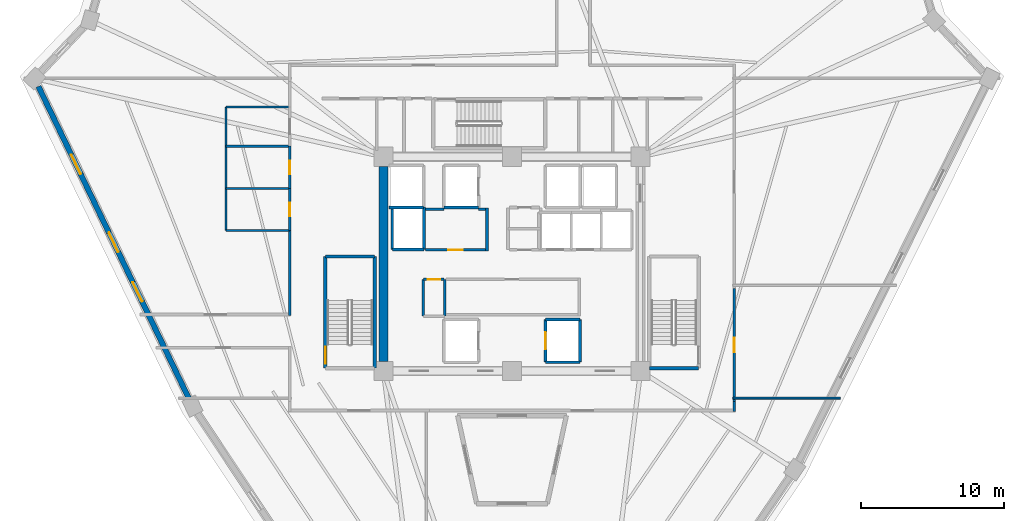
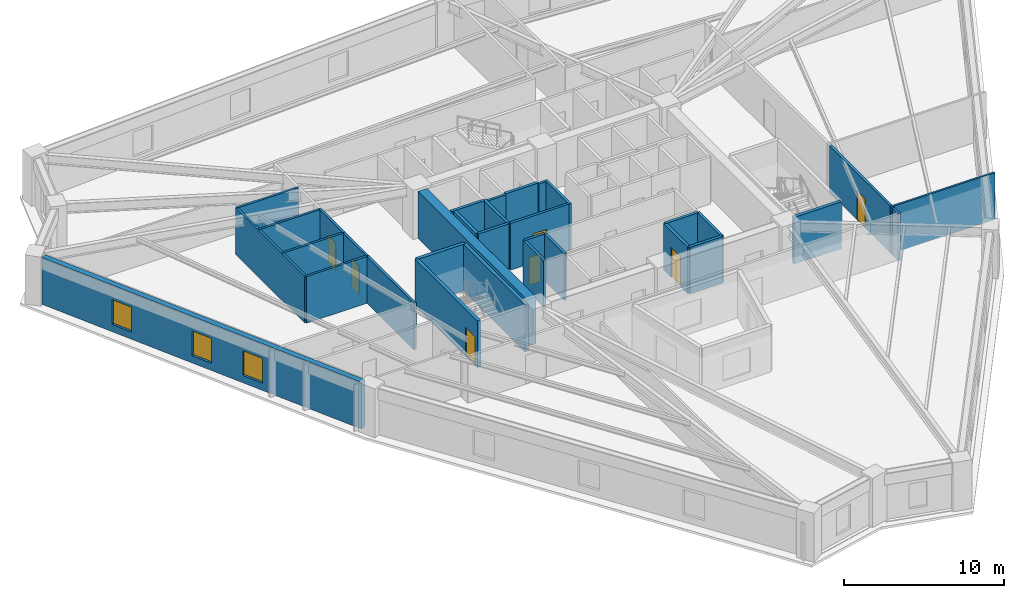
# One storey, part 4 of 10: 33 walls, 7 doors, 3 windows, 10 openings.
"""IFC4 building model written with IfcOpenShell, lengths in metres."""

from ifc_helpers import new_model, si_unit, direction, frame, frame_2d, origin, place, context, subcontext, project, spatial, rectangle, extrude, source, transform, mapped, material, layer, layer_set, type_object, element, fill, save


model = new_model("IFC4")

# Units and contexts
model_context = context("Model", 3, precision=1e-05, world=origin(), true_north=direction((0.0, 1.0)))
body_context = subcontext(model_context, "Body", "Model", "MODEL_VIEW")
ifc_project = project(units=[si_unit("LENGTHUNIT", "METRE"), si_unit("AREAUNIT", "SQUARE_METRE"), si_unit("VOLUMEUNIT", "CUBIC_METRE"), si_unit("PLANEANGLEUNIT", "RADIAN"), si_unit("MASSUNIT", "GRAM", prefix="KILO")], contexts=[model_context])

# Site, building, storey
site_placement = place(None, origin())
site = spatial("IfcSite", under=ifc_project, at=site_placement, CompositionType="ELEMENT")
building_placement = place(site_placement, origin())
building = spatial("IfcBuilding", under=site, at=building_placement, Name="Liaohun Quay Tower", CompositionType="ELEMENT")
storey_placement = place(building_placement, frame((0.0, 0.0, 216.75)))
storey = spatial("IfcBuildingStorey", under=building, at=storey_placement, Name="L56", CompositionType="ELEMENT", Elevation=216.75)

# Wall
ifc_material_1 = material(Name="Concrete C55", Category="concrete")
ifc_layer_1 = layer(ifc_material_1, 0.64990234375, Name="Concrete C55", Category="concrete")
ifc_layer_set_1 = layer_set([ifc_layer_1], Name="Concrete C55")
wall_type_1 = type_object("IfcWallType", Name="WAL-COR-Z3", PredefinedType="SHEAR", material=ifc_layer_set_1)
wall_1_placement = place(storey_placement, frame((51.0, 47.175048828125, 0.0), z_axis=(0.0, 0.0, 1.0), x_axis=(0.0, 1.0, 0.0)))
element("IfcWall", 1, at=wall_1_placement, inside=storey, type_object=wall_type_1, Name="L56 Central Core Shear Wall W", PredefinedType="SHEAR", context=body_context, shape_type="SweptSolid", body=[
    extrude(rectangle(XDim=13.64990234375, YDim=0.64990234375, at=frame_2d((6.824951171875, 0.0))), origin(), (0.0, 0.0, 1.0), 3.570068359375),
])

# Wall, openings, windows
ifc_material_2 = material(Name="Precast concrete C50 insulated sandwich", Category="concrete")
ifc_layer_2 = layer(ifc_material_2, 0.3798828125, Name="Precast concrete C50 insulated sandwich", Category="concrete")
ifc_layer_set_2 = layer_set([ifc_layer_2], Name="Precast concrete C50 insulated sandwich")
wall_type_2 = type_object("IfcWallType", Name="WAL-EXT-Z34", PredefinedType="SOLIDWALL", material=ifc_layer_set_2)
wall_2_placement = place(storey_placement, frame((26.847900390625, 66.426025390625, 0.0), z_axis=(0.0, 0.0, 1.0), x_axis=(0.434351028037, -0.900743684099, 0.0)))
wall_2 = element("IfcWall", 2, at=wall_2_placement, inside=storey, type_object=wall_type_2, Name="L56 Brutalist Precast Pier Wall 10", PredefinedType="SOLIDWALL", context=body_context, shape_type="SweptSolid", body=[
    extrude(rectangle(XDim=24.222412109375, YDim=0.3798828125, at=frame_2d((12.111328125, 0.0))), origin(), (0.0, 0.0, 1.0), 3.570068359375),
])
shared_shape_1 = source(origin(), body_context, "Body", "SweptSolid", [
    extrude(rectangle(XDim=1.5, YDim=1.89990234375, at=frame_2d((0.75, 0.949951171875))), frame((0.0, 0.199951171875, 0.0), z_axis=(0.0, -1.0, 0.0), x_axis=(1.0, 0.0, 0.0)), (0.0, 0.0, 1.0), 0.39990234375),
])
opening_1_placement = place(wall_2_placement, frame((5.305908203125, 0.0, 0.550048828125)))
opening_1 = element("IfcOpeningElement", 3, at=opening_1_placement, cuts=wall_2, Name="Opening W03", PredefinedType="OPENING", context=body_context, shape_type="MappedRepresentation", body=[
    mapped(shared_shape_1, transform((0.0, 0.0, 0.0), x_axis=(1.0, 0.0, 0.0), y_axis=(0.0, 1.0, 0.0), z_axis=(0.0, 0.0, 1.0), scale=1.0)),
])
opening_2_placement = place(wall_2_placement, frame((11.361083984375, 0.0, 0.550048828125)))
opening_2 = element("IfcOpeningElement", 4, at=opening_2_placement, cuts=wall_2, Name="Opening W03", PredefinedType="OPENING", context=body_context, shape_type="MappedRepresentation", body=[
    mapped(shared_shape_1, transform((0.0, 0.0, 0.0), x_axis=(1.0, 0.0, 0.0), y_axis=(0.0, 1.0, 0.0), z_axis=(0.0, 0.0, 1.0), scale=1.0)),
])
opening_3_placement = place(wall_2_placement, frame((15.217041015625, 0.0, 0.550048828125)))
opening_3 = element("IfcOpeningElement", 5, at=opening_3_placement, cuts=wall_2, Name="Opening W03", PredefinedType="OPENING", context=body_context, shape_type="MappedRepresentation", body=[
    mapped(shared_shape_1, transform((0.0, 0.0, 0.0), x_axis=(1.0, 0.0, 0.0), y_axis=(0.0, 1.0, 0.0), z_axis=(0.0, 0.0, 1.0), scale=1.0)),
])
ifc_material_3 = material(Name="Triple Low-E argon glazing in thermally broken aluminium", Category="aluminium")
window_type = type_object("IfcWindowType", Name="WIN-PUN-Z3", PartitioningType="DOUBLE_PANEL_VERTICAL", PredefinedType="WINDOW", material=ifc_material_3)
shared_shape_2 = source(origin(), body_context, "Body", "SweptSolid", [
    extrude(rectangle(XDim=1.5, YDim=1.89990234375, at=frame_2d((0.75, 0.949951171875))), frame((0.0, 0.030029296875, 0.0), z_axis=(0.0, -1.0, 0.0), x_axis=(1.0, 0.0, 0.0)), (0.0, 0.0, 1.0), 0.06005859375),
])
window_1_placement = place(opening_1_placement, origin())
window_1 = element("IfcWindow", 6, at=window_1_placement, inside=storey, type_object=window_type, Name="L56 Recessed Cold-Climate Punched Window 10-1", OverallHeight=1.89990234375, OverallWidth=1.5, PartitioningType="DOUBLE_PANEL_VERTICAL", PredefinedType="WINDOW", context=body_context, shape_type="MappedRepresentation", body=[
    mapped(shared_shape_2, transform((0.0, 0.0, 0.0), x_axis=(1.0, 0.0, 0.0), y_axis=(0.0, 1.0, 0.0), z_axis=(0.0, 0.0, 1.0), scale=1.0)),
])
fill(opening_1, window_1)
window_2_placement = place(opening_2_placement, origin())
window_2 = element("IfcWindow", 7, at=window_2_placement, inside=storey, type_object=window_type, Name="L56 Recessed Cold-Climate Punched Window 10-2", OverallHeight=1.89990234375, OverallWidth=1.5, PartitioningType="DOUBLE_PANEL_VERTICAL", PredefinedType="WINDOW", context=body_context, shape_type="MappedRepresentation", body=[
    mapped(shared_shape_2, transform((0.0, 0.0, 0.0), x_axis=(1.0, 0.0, 0.0), y_axis=(0.0, 1.0, 0.0), z_axis=(0.0, 0.0, 1.0), scale=1.0)),
])
fill(opening_2, window_2)
window_3_placement = place(opening_3_placement, origin())
window_3 = element("IfcWindow", 8, at=window_3_placement, inside=storey, type_object=window_type, Name="L56 Recessed Cold-Climate Punched Window 10-3", OverallHeight=1.89990234375, OverallWidth=1.5, PartitioningType="DOUBLE_PANEL_VERTICAL", PredefinedType="WINDOW", context=body_context, shape_type="MappedRepresentation", body=[
    mapped(shared_shape_2, transform((0.0, 0.0, 0.0), x_axis=(1.0, 0.0, 0.0), y_axis=(0.0, 1.0, 0.0), z_axis=(0.0, 0.0, 1.0), scale=1.0)),
])
fill(opening_3, window_3)

# Wall, opening, door
ifc_material_4 = material(Name="Autoclaved aerated concrete blockwork", Category="masonry")
ifc_layer_3 = layer(ifc_material_4, 0.179931640625, Name="Autoclaved aerated concrete blockwork", Category="masonry")
ifc_layer_set_3 = layer_set([ifc_layer_3], Name="Autoclaved aerated concrete blockwork")
wall_type_3 = type_object("IfcWallType", Name="WAL-PRT-COR", PredefinedType="PARTITIONING", material=ifc_layer_set_3)
wall_3_placement = place(storey_placement, frame((53.949951171875, 54.97998046875, 0.0), z_axis=(0.0, 0.0, 1.0), x_axis=(1.0, 0.0, 0.0)))
wall_3 = element("IfcWall", 9, at=wall_3_placement, inside=storey, type_object=wall_type_3, Name="L56 Interior Partition Wall 002", PredefinedType="PARTITIONING", context=body_context, shape_type="SweptSolid", body=[
    extrude(rectangle(XDim=4.2099609375, YDim=0.179931640625, at=frame_2d((2.10498046875, 0.0))), origin(), (0.0, 0.0, 1.0), 3.570068359375),
])
shared_shape_3 = source(origin(), body_context, "Body", "SweptSolid", [
    extrude(rectangle(XDim=1.0, YDim=2.199951171875, at=frame_2d((0.5, 1.10009765625))), frame((0.0, 0.099853515625, 0.0), z_axis=(0.0, -1.0, 0.0), x_axis=(1.0, 0.0, 0.0)), (0.0, 0.0, 1.0), 0.199951171875),
])
opening_4_placement = place(wall_3_placement, frame((1.60009765625, 0.0, 0.0)))
opening_4 = element("IfcOpeningElement", 10, at=opening_4_placement, cuts=wall_3, Name="Opening OD1", PredefinedType="OPENING", context=body_context, shape_type="MappedRepresentation", body=[
    mapped(shared_shape_3, transform((0.0, 0.0, 0.0), x_axis=(1.0, 0.0, 0.0), y_axis=(0.0, 1.0, 0.0), z_axis=(0.0, 0.0, 1.0), scale=1.0)),
])
ifc_material_5 = material(Name="Solid-core oak veneer timber leaf in steel frame", Category="steel")
door_type_1 = type_object("IfcDoorType", Name="DOR-OFF-1000", OperationType="NOTDEFINED", PredefinedType="DOOR", material=ifc_material_5)
shared_shape_4 = source(origin(), body_context, "Body", "SweptSolid", [
    extrude(rectangle(XDim=1.0, YDim=2.199951171875, at=frame_2d((0.5, 1.10009765625))), frame((0.0, 0.02490234375, 0.0), z_axis=(0.0, -1.0, 0.0), x_axis=(1.0, 0.0, 0.0)), (0.0, 0.0, 1.0), 0.050048828125),
])
door_1_placement = place(opening_4_placement, origin())
door_1 = element("IfcDoor", 11, at=door_1_placement, inside=storey, type_object=door_type_1, Name="L56 Core Staff Pantry and Tea Room Door", OperationType="SINGLE_SWING_RIGHT", OverallHeight=2.199951171875, OverallWidth=1.0, PredefinedType="DOOR", context=body_context, shape_type="MappedRepresentation", body=[
    mapped(shared_shape_4, transform((0.0, 0.0, 0.0), x_axis=(1.0, 0.0, 0.0), y_axis=(0.0, 1.0, 0.0), z_axis=(0.0, 0.0, 1.0), scale=1.0)),
])
fill(opening_4, door_1)

wall_4_placement = place(storey_placement, frame((53.820068359375, 52.919921875, 0.0), z_axis=(0.0, 0.0, 1.0), x_axis=(1.0, 0.0, 0.0)))
wall_4 = element("IfcWall", 12, at=wall_4_placement, inside=storey, type_object=wall_type_3, Name="L56 Interior Partition Wall 005", PredefinedType="PARTITIONING", context=body_context, shape_type="SweptSolid", body=[
    extrude(rectangle(XDim=1.429931640625, YDim=0.179931640625, at=frame_2d((0.71484375, 0.0))), origin(), (0.0, 0.0, 1.0), 3.570068359375),
])
shared_shape_5 = source(origin(), body_context, "Body", "SweptSolid", [
    extrude(rectangle(XDim=0.85009765625, YDim=2.10009765625, at=frame_2d((0.425048828125, 1.050048828125))), frame((0.0, 0.099853515625, 0.0), z_axis=(0.0, -1.0, 0.0), x_axis=(1.0, 0.0, 0.0)), (0.0, 0.0, 1.0), 0.199951171875),
])
opening_5_placement = place(wall_4_placement, frame((0.2900390625, 0.0, 0.0)))
opening_5 = element("IfcOpeningElement", 13, at=opening_5_placement, cuts=wall_4, Name="Opening AD1", PredefinedType="OPENING", context=body_context, shape_type="MappedRepresentation", body=[
    mapped(shared_shape_5, transform((0.0, 0.0, 0.0), x_axis=(1.0, 0.0, 0.0), y_axis=(0.0, 1.0, 0.0), z_axis=(0.0, 0.0, 1.0), scale=1.0)),
])
ifc_material_6 = material(Name="Steel riser inspection fire door", Category="steel")
door_type_2 = type_object("IfcDoorType", Name="DOR-SHF-850", OperationType="NOTDEFINED", PredefinedType="DOOR", material=ifc_material_6)
shared_shape_6 = source(origin(), body_context, "Body", "SweptSolid", [
    extrude(rectangle(XDim=0.85009765625, YDim=2.10009765625, at=frame_2d((0.425048828125, 1.050048828125))), frame((0.0, 0.02490234375, 0.0), z_axis=(0.0, -1.0, 0.0), x_axis=(1.0, 0.0, 0.0)), (0.0, 0.0, 1.0), 0.050048828125),
])
door_2_placement = place(opening_5_placement, origin())
door_2 = element("IfcDoor", 14, at=door_2_placement, inside=storey, type_object=door_type_2, Name="L56 Core Fire Hose and Riser Closet Door", OperationType="SINGLE_SWING_LEFT", OverallHeight=2.10009765625, OverallWidth=0.85009765625, PredefinedType="DOOR", context=body_context, shape_type="MappedRepresentation", body=[
    mapped(shared_shape_6, transform((0.0, 0.0, 0.0), x_axis=(1.0, 0.0, 0.0), y_axis=(0.0, 1.0, 0.0), z_axis=(0.0, 0.0, 1.0), scale=1.0)),
])
fill(opening_5, door_2)

wall_5_placement = place(storey_placement, frame((75.56005859375, 52.284912109375, 0.0), z_axis=(0.0, 0.0, 1.0), x_axis=(0.0, -1.0, 0.0)))
wall_5 = element("IfcWall", 15, at=wall_5_placement, inside=storey, type_object=wall_type_3, Name="L56 Interior Partition Wall 023", PredefinedType="PARTITIONING", context=body_context, shape_type="SweptSolid", body=[
    extrude(rectangle(XDim=7.89990234375, YDim=0.179931640625, at=frame_2d((3.949951171875, 0.0))), origin(), (0.0, 0.0, 1.0), 3.570068359375),
])
opening_6_placement = place(wall_5_placement, frame((3.449951171875, 0.0, 0.0)))
opening_6 = element("IfcOpeningElement", 16, at=opening_6_placement, cuts=wall_5, Name="Opening OD1", PredefinedType="OPENING", context=body_context, shape_type="MappedRepresentation", body=[
    mapped(shared_shape_3, transform((0.0, 0.0, 0.0), x_axis=(1.0, 0.0, 0.0), y_axis=(0.0, 1.0, 0.0), z_axis=(0.0, 0.0, 1.0), scale=1.0)),
])
door_3_placement = place(opening_6_placement, origin())
door_3 = element("IfcDoor", 17, at=door_3_placement, inside=storey, type_object=door_type_1, Name="L56 Client Collaboration Lounge 08 Door", OperationType="SINGLE_SWING_LEFT", OverallHeight=2.199951171875, OverallWidth=1.0, PredefinedType="DOOR", context=body_context, shape_type="MappedRepresentation", body=[
    mapped(shared_shape_4, transform((0.0, 0.0, 0.0), x_axis=(1.0, 0.0, 0.0), y_axis=(0.0, 1.0, 0.0), z_axis=(0.0, 0.0, 1.0), scale=1.0)),
])
fill(opening_6, door_3)

# Walls
for number, where, z_axis, x_axis, name in (
    (18, (53.7900390625, 50.35009765625, 0.0), (0.0, 0.0, 1.0), (0.0, 1.0, 0.0), "L56 Interior Partition Wall 027"),
    (19, (55.280029296875, 50.35009765625, 0.0), (0.0, 0.0, 1.0), (0.0, 1.0, 0.0), "L56 Interior Partition Wall 029"),
):
    element("IfcWall", number, at=place(storey_placement, frame(where, z_axis=z_axis, x_axis=x_axis)), inside=storey, type_object=wall_type_3, Name=name, PredefinedType="PARTITIONING", context=body_context, shape_type="SweptSolid", body=[
        extrude(rectangle(XDim=2.56982421875, YDim=0.179931640625, at=frame_2d((1.284912109375, 0.0))), origin(), (0.0, 0.0, 1.0), 3.570068359375),
    ])
wall_6_placement = place(storey_placement, frame((44.43994140625, 50.389892578125, 0.0), z_axis=(0.0, 0.0, 1.0), x_axis=(0.0, 1.0, 0.0)))
element("IfcWall", 20, at=wall_6_placement, inside=storey, type_object=wall_type_3, Name="L56 Interior Partition Wall 044", PredefinedType="PARTITIONING", context=body_context, shape_type="SweptSolid", body=[
    extrude(rectangle(XDim=5.9501953125, YDim=0.179931640625, at=frame_2d((2.97509765625, 0.0))), origin(), (0.0, 0.0, 1.0), 3.570068359375),
])
wall_7_placement = place(storey_placement, frame((75.56005859375, 44.385009765625, 0.0), z_axis=(0.0, 0.0, 1.0), x_axis=(0.0, -1.0, 0.0)))
element("IfcWall", 21, at=wall_7_placement, inside=storey, type_object=wall_type_3, Name="L56 Interior Partition Wall 048", PredefinedType="PARTITIONING", context=body_context, shape_type="SweptSolid", body=[
    extrude(rectangle(XDim=0.715087890625, YDim=0.179931640625, at=frame_2d((0.357421875, 0.0))), origin(), (0.0, 0.0, 1.0), 3.570068359375),
])
wall_8_placement = place(storey_placement, frame((58.25, 54.889892578125, 0.0), z_axis=(0.0, 0.0, 1.0), x_axis=(0.0, 1.0, 0.0)))
element("IfcWall", 22, at=wall_8_placement, inside=storey, type_object=wall_type_3, Name="L56 Interior Partition Wall 057", PredefinedType="PARTITIONING", context=body_context, shape_type="SweptSolid", body=[
    extrude(rectangle(XDim=3.02001953125, YDim=0.179931640625, at=frame_2d((1.510009765625, 0.0))), origin(), (0.0, 0.0, 1.0), 3.570068359375),
])
wall_9_placement = place(storey_placement, frame((53.949951171875, 57.820068359375, 0.0), z_axis=(0.0, 0.0, 1.0), x_axis=(1.0, 0.0, 0.0)))
element("IfcWall", 23, at=wall_9_placement, inside=storey, type_object=wall_type_3, Name="L56 Interior Partition Wall 058", PredefinedType="PARTITIONING", context=body_context, shape_type="SweptSolid", body=[
    extrude(rectangle(XDim=1.300048828125, YDim=0.179931640625, at=frame_2d((0.64990234375, 0.0))), origin(), (0.0, 0.0, 1.0), 3.570068359375),
])
wall_10_placement = place(storey_placement, frame((57.64990234375, 57.820068359375, 0.0), z_axis=(0.0, 0.0, 1.0), x_axis=(1.0, 0.0, 0.0)))
element("IfcWall", 24, at=wall_10_placement, inside=storey, type_object=wall_type_3, Name="L56 Interior Partition Wall 059", PredefinedType="PARTITIONING", context=body_context, shape_type="SweptSolid", body=[
    extrude(rectangle(XDim=0.510009765625, YDim=0.179931640625, at=frame_2d((0.2548828125, 0.0))), origin(), (0.0, 0.0, 1.0), 3.570068359375),
])
ifc_material_7 = material(Name="Gypsum board on twin steel studs", Category="steel")
ifc_layer_4 = layer(ifc_material_7, 0.139892578125, Name="Gypsum board on twin steel studs", Category="steel")
ifc_layer_set_4 = layer_set([ifc_layer_4], Name="Gypsum board on twin steel studs")
wall_type_4 = type_object("IfcWallType", Name="WAL-PRT-OFF", PredefinedType="PARTITIONING", material=ifc_layer_set_4)
wall_11_placement = place(storey_placement, frame((75.4599609375, 44.60009765625, 0.0), z_axis=(0.0, 0.0, 1.0), x_axis=(1.0, 0.0, 0.0)))
element("IfcWall", 25, at=wall_11_placement, inside=storey, type_object=wall_type_4, Name="L56 Interior Partition Wall 051", PredefinedType="PARTITIONING", context=body_context, shape_type="SweptSolid", body=[
    extrude(rectangle(XDim=7.52294921875, YDim=0.139892578125, at=frame_2d((3.761474609375, 0.0))), origin(), (0.0, 0.0, 1.0), 3.570068359375),
])

# Wall, opening, door
ifc_material_8 = material(Name="Moisture-resistant masonry blockwork", Category="masonry")
ifc_layer_5 = layer(ifc_material_8, 0.159912109375, Name="Moisture-resistant masonry blockwork", Category="masonry")
ifc_layer_set_5 = layer_set([ifc_layer_5], Name="Moisture-resistant masonry blockwork")
wall_type_5 = type_object("IfcWallType", Name="WAL-PRT-WET", PredefinedType="PARTITIONING", material=ifc_layer_set_5)
wall_12_placement = place(storey_placement, frame((44.43994140625, 56.340087890625, 0.0), z_axis=(0.0, 0.0, 1.0), x_axis=(0.0, 1.0, 0.0)))
wall_12 = element("IfcWall", 26, at=wall_12_placement, inside=storey, type_object=wall_type_5, Name="L56 Interior Partition Wall 006", PredefinedType="PARTITIONING", context=body_context, shape_type="SweptSolid", body=[
    extrude(rectangle(XDim=2.93994140625, YDim=0.159912109375, at=frame_2d((1.469970703125, 0.0))), origin(), (0.0, 0.0, 1.0), 3.570068359375),
])
shared_shape_7 = source(origin(), body_context, "Body", "SweptSolid", [
    extrude(rectangle(XDim=0.949951171875, YDim=2.14990234375, at=frame_2d((0.47509765625, 1.074951171875))), frame((0.0, 0.08984375, 0.0), z_axis=(0.0, -1.0, 0.0), x_axis=(1.0, 0.0, 0.0)), (0.0, 0.0, 1.0), 0.179931640625),
])
opening_7_placement = place(wall_12_placement, frame((0.9951171875, 0.0, 0.0)))
opening_7 = element("IfcOpeningElement", 27, at=opening_7_placement, cuts=wall_12, Name="Opening WD1", PredefinedType="OPENING", context=body_context, shape_type="MappedRepresentation", body=[
    mapped(shared_shape_7, transform((0.0, 0.0, 0.0), x_axis=(1.0, 0.0, 0.0), y_axis=(0.0, 1.0, 0.0), z_axis=(0.0, 0.0, 1.0), scale=1.0)),
])
ifc_material_9 = material(Name="Moisture-resistant laminate timber leaf", Category="wood")
door_type_3 = type_object("IfcDoorType", Name="DOR-WC-950", OperationType="NOTDEFINED", PredefinedType="DOOR", material=ifc_material_9)
shared_shape_8 = source(origin(), body_context, "Body", "SweptSolid", [
    extrude(rectangle(XDim=0.949951171875, YDim=2.14990234375, at=frame_2d((0.47509765625, 1.074951171875))), frame((0.0, 0.02490234375, 0.0), z_axis=(0.0, -1.0, 0.0), x_axis=(1.0, 0.0, 0.0)), (0.0, 0.0, 1.0), 0.050048828125),
])
door_4_placement = place(opening_7_placement, origin())
door_4 = element("IfcDoor", 28, at=door_4_placement, inside=storey, type_object=door_type_3, Name="L56 Male Restroom WC Door", OperationType="SINGLE_SWING_RIGHT", OverallHeight=2.14990234375, OverallWidth=0.949951171875, PredefinedType="DOOR", context=body_context, shape_type="MappedRepresentation", body=[
    mapped(shared_shape_8, transform((0.0, 0.0, 0.0), x_axis=(1.0, 0.0, 0.0), y_axis=(0.0, 1.0, 0.0), z_axis=(0.0, 0.0, 1.0), scale=1.0)),
])
fill(opening_7, door_4)

wall_13_placement = place(storey_placement, frame((44.43994140625, 59.280029296875, 0.0), z_axis=(0.0, 0.0, 1.0), x_axis=(0.0, 1.0, 0.0)))
wall_13 = element("IfcWall", 29, at=wall_13_placement, inside=storey, type_object=wall_type_5, Name="L56 Interior Partition Wall 007", PredefinedType="PARTITIONING", context=body_context, shape_type="SweptSolid", body=[
    extrude(rectangle(XDim=2.9599609375, YDim=0.159912109375, at=frame_2d((1.47998046875, 0.0))), origin(), (0.0, 0.0, 1.0), 3.570068359375),
])
opening_8_placement = place(wall_13_placement, frame((1.0048828125, 0.0, 0.0)))
opening_8 = element("IfcOpeningElement", 30, at=opening_8_placement, cuts=wall_13, Name="Opening WD1", PredefinedType="OPENING", context=body_context, shape_type="MappedRepresentation", body=[
    mapped(shared_shape_7, transform((0.0, 0.0, 0.0), x_axis=(1.0, 0.0, 0.0), y_axis=(0.0, 1.0, 0.0), z_axis=(0.0, 0.0, 1.0), scale=1.0)),
])
door_5_placement = place(opening_8_placement, origin())
door_5 = element("IfcDoor", 31, at=door_5_placement, inside=storey, type_object=door_type_3, Name="L56 Female Restroom WC Door", OperationType="SINGLE_SWING_LEFT", OverallHeight=2.14990234375, OverallWidth=0.949951171875, PredefinedType="DOOR", context=body_context, shape_type="MappedRepresentation", body=[
    mapped(shared_shape_8, transform((0.0, 0.0, 0.0), x_axis=(1.0, 0.0, 0.0), y_axis=(0.0, 1.0, 0.0), z_axis=(0.0, 0.0, 1.0), scale=1.0)),
])
fill(opening_8, door_5)

# Walls
wall_14_placement = place(storey_placement, frame((39.97998046875, 56.340087890625, 0.0), z_axis=(0.0, 0.0, 1.0), x_axis=(0.0, 1.0, 0.0)))
element("IfcWall", 32, at=wall_14_placement, inside=storey, type_object=wall_type_5, Name="L56 Interior Partition Wall 030", PredefinedType="PARTITIONING", context=body_context, shape_type="SweptSolid", body=[
    extrude(rectangle(XDim=8.639892578125, YDim=0.159912109375, at=frame_2d((4.31982421875, 0.0))), origin(), (0.0, 0.0, 1.0), 3.570068359375),
])
for number, where, z_axis, x_axis, name in (
    (33, (39.97998046875, 56.340087890625, 0.0), (0.0, 0.0, 1.0), (1.0, 0.0, 0.0), "L56 Interior Partition Wall 031"),
    (34, (39.97998046875, 59.280029296875, 0.0), (0.0, 0.0, 1.0), (1.0, 0.0, 0.0), "L56 Interior Partition Wall 032"),
    (35, (39.97998046875, 62.239990234375, 0.0), (0.0, 0.0, 1.0), (1.0, 0.0, 0.0), "L56 Interior Partition Wall 033"),
    (36, (39.97998046875, 64.97998046875, 0.0), (0.0, 0.0, 1.0), (1.0, 0.0, 0.0), "L56 Interior Partition Wall 034"),
):
    element("IfcWall", number, at=place(storey_placement, frame(where, z_axis=z_axis, x_axis=x_axis)), inside=storey, type_object=wall_type_5, Name=name, PredefinedType="PARTITIONING", context=body_context, shape_type="SweptSolid", body=[
        extrude(rectangle(XDim=4.4599609375, YDim=0.159912109375, at=frame_2d((2.22998046875, 0.0))), origin(), (0.0, 0.0, 1.0), 3.570068359375),
    ])
ifc_material_10 = material(Name="Concrete C50", Category="concrete")
ifc_layer_6 = layer(ifc_material_10, 0.239990234375, Name="Concrete C50", Category="concrete")
ifc_layer_set_6 = layer_set([ifc_layer_6], Name="Concrete C50")
wall_type_6 = type_object("IfcWallType", Name="WAL-SHF-200", PredefinedType="SOLIDWALL", material=ifc_layer_set_6)
wall_15_placement = place(storey_placement, frame((50.3798828125, 46.699951171875, 0.0), z_axis=(0.0, 0.0, 1.0), x_axis=(0.0, 1.0, 0.0)))
element("IfcWall", 37, at=wall_15_placement, inside=storey, type_object=wall_type_6, Name="L56 Stairwell ST-1 Structural Core Wall E", PredefinedType="SOLIDWALL", context=body_context, shape_type="SweptSolid", body=[
    extrude(rectangle(XDim=7.820068359375, YDim=0.239990234375, at=frame_2d((3.91015625, 0.0))), origin(), (0.0, 0.0, 1.0), 3.570068359375),
])
wall_16_placement = place(storey_placement, frame((50.3798828125, 54.52001953125, 0.0), z_axis=(0.0, 0.0, 1.0), x_axis=(-1.0, 0.0, 0.0)))
element("IfcWall", 38, at=wall_16_placement, inside=storey, type_object=wall_type_6, Name="L56 Stairwell ST-1 Structural Core Wall N", PredefinedType="SOLIDWALL", context=body_context, shape_type="SweptSolid", body=[
    extrude(rectangle(XDim=3.43994140625, YDim=0.239990234375, at=frame_2d((1.719970703125, 0.0))), origin(), (0.0, 0.0, 1.0), 3.570068359375),
])

# Wall, opening, door
wall_17_placement = place(storey_placement, frame((46.93994140625, 54.52001953125, 0.0), z_axis=(0.0, 0.0, 1.0), x_axis=(0.0, -1.0, 0.0)))
wall_17 = element("IfcWall", 39, at=wall_17_placement, inside=storey, type_object=wall_type_6, Name="L56 Stairwell ST-1 Structural Core Wall W", PredefinedType="SOLIDWALL", context=body_context, shape_type="SweptSolid", body=[
    extrude(rectangle(XDim=7.820068359375, YDim=0.239990234375, at=frame_2d((3.91015625, 0.0))), origin(), (0.0, 0.0, 1.0), 3.570068359375),
])
shared_shape_9 = source(origin(), body_context, "Body", "SweptSolid", [
    extrude(rectangle(XDim=1.199951171875, YDim=2.199951171875, at=frame_2d((0.60009765625, 1.10009765625))), frame((0.0, 0.1298828125, 0.0), z_axis=(0.0, -1.0, 0.0), x_axis=(1.0, 0.0, 0.0)), (0.0, 0.0, 1.0), 0.260009765625),
])
opening_9_placement = place(wall_17_placement, frame((6.300048828125, 0.0, 0.0)))
opening_9 = element("IfcOpeningElement", 40, at=opening_9_placement, cuts=wall_17, Name="Opening SD1", PredefinedType="OPENING", context=body_context, shape_type="MappedRepresentation", body=[
    mapped(shared_shape_9, transform((0.0, 0.0, 0.0), x_axis=(1.0, 0.0, 0.0), y_axis=(0.0, 1.0, 0.0), z_axis=(0.0, 0.0, 1.0), scale=1.0)),
])
ifc_material_11 = material(Name="Galvanised steel fire door", Category="steel")
door_type_4 = type_object("IfcDoorType", Name="DOR-STR-1200", OperationType="NOTDEFINED", PredefinedType="DOOR", material=ifc_material_11)
shared_shape_10 = source(origin(), body_context, "Body", "SweptSolid", [
    extrude(rectangle(XDim=1.199951171875, YDim=2.199951171875, at=frame_2d((0.60009765625, 1.10009765625))), frame((0.0, 0.02490234375, 0.0), z_axis=(0.0, -1.0, 0.0), x_axis=(1.0, 0.0, 0.0)), (0.0, 0.0, 1.0), 0.050048828125),
])
door_6_placement = place(opening_9_placement, origin())
door_6 = element("IfcDoor", 41, at=door_6_placement, inside=storey, type_object=door_type_4, Name="L56 Protected Stair ST-1 Fire Door", OperationType="SINGLE_SWING_LEFT", OverallHeight=2.199951171875, OverallWidth=1.199951171875, PredefinedType="DOOR", context=body_context, shape_type="MappedRepresentation", body=[
    mapped(shared_shape_10, transform((0.0, 0.0, 0.0), x_axis=(1.0, 0.0, 0.0), y_axis=(0.0, 1.0, 0.0), z_axis=(0.0, 0.0, 1.0), scale=1.0)),
])
fill(opening_9, door_6)

# Walls
wall_18_placement = place(storey_placement, frame((69.6201171875, 46.699951171875, 0.0), z_axis=(0.0, 0.0, 1.0), x_axis=(1.0, 0.0, 0.0)))
element("IfcWall", 42, at=wall_18_placement, inside=storey, type_object=wall_type_6, Name="L56 Stairwell ST-2 Structural Core Wall S", PredefinedType="SOLIDWALL", context=body_context, shape_type="SweptSolid", body=[
    extrude(rectangle(XDim=3.43994140625, YDim=0.239990234375, at=frame_2d((1.719970703125, 0.0))), origin(), (0.0, 0.0, 1.0), 3.570068359375),
])
wall_19_placement = place(storey_placement, frame((62.35009765625, 47.1201171875, 0.0), z_axis=(0.0, 0.0, 1.0), x_axis=(1.0, 0.0, 0.0)))
element("IfcWall", 43, at=wall_19_placement, inside=storey, type_object=wall_type_6, Name="L56 Lift FF-02 Hoistway Wall S", PredefinedType="SOLIDWALL", context=body_context, shape_type="SweptSolid", body=[
    extrude(rectangle(XDim=2.39990234375, YDim=0.199951171875, at=frame_2d((1.199951171875, 0.0))), origin(), (0.0, 0.0, 1.0), 3.570068359375),
])
wall_20_placement = place(storey_placement, frame((64.75, 47.1201171875, 0.0), z_axis=(0.0, 0.0, 1.0), x_axis=(0.0, 1.0, 0.0)))
element("IfcWall", 44, at=wall_20_placement, inside=storey, type_object=wall_type_6, Name="L56 Lift FF-02 Hoistway Wall E", PredefinedType="SOLIDWALL", context=body_context, shape_type="SweptSolid", body=[
    extrude(rectangle(XDim=3.0, YDim=0.199951171875, at=frame_2d((1.5, 0.0))), origin(), (0.0, 0.0, 1.0), 3.570068359375),
])
wall_21_placement = place(storey_placement, frame((64.75, 50.1201171875, 0.0), z_axis=(0.0, 0.0, 1.0), x_axis=(-1.0, 0.0, 0.0)))
element("IfcWall", 45, at=wall_21_placement, inside=storey, type_object=wall_type_6, Name="L56 Lift FF-02 Hoistway Wall N", PredefinedType="SOLIDWALL", context=body_context, shape_type="SweptSolid", body=[
    extrude(rectangle(XDim=2.39990234375, YDim=0.199951171875, at=frame_2d((1.199951171875, 0.0))), origin(), (0.0, 0.0, 1.0), 3.570068359375),
])

# Wall, opening, door
wall_22_placement = place(storey_placement, frame((62.35009765625, 50.1201171875, 0.0), z_axis=(0.0, 0.0, 1.0), x_axis=(0.0, -1.0, 0.0)))
wall_22 = element("IfcWall", 46, at=wall_22_placement, inside=storey, type_object=wall_type_6, Name="L56 Lift FF-02 Hoistway Wall W", PredefinedType="SOLIDWALL", context=body_context, shape_type="SweptSolid", body=[
    extrude(rectangle(XDim=3.0, YDim=0.199951171875, at=frame_2d((1.5, 0.0))), origin(), (0.0, 0.0, 1.0), 3.570068359375),
])
shared_shape_11 = source(origin(), body_context, "Body", "SweptSolid", [
    extrude(rectangle(XDim=1.199951171875, YDim=2.300048828125, at=frame_2d((0.60009765625, 1.14990234375))), frame((0.0, 0.10986328125, 0.0), z_axis=(0.0, -1.0, 0.0), x_axis=(1.0, 0.0, 0.0)), (0.0, 0.0, 1.0), 0.219970703125),
])
opening_10_placement = place(wall_22_placement, frame((0.89990234375, 0.0, 0.0)))
opening_10 = element("IfcOpeningElement", 47, at=opening_10_placement, cuts=wall_22, Name="Opening LD2", PredefinedType="OPENING", context=body_context, shape_type="MappedRepresentation", body=[
    mapped(shared_shape_11, transform((0.0, 0.0, 0.0), x_axis=(1.0, 0.0, 0.0), y_axis=(0.0, 1.0, 0.0), z_axis=(0.0, 0.0, 1.0), scale=1.0)),
])
ifc_material_12 = material(Name="Brushed stainless steel stretcher landing door", Category="steel")
door_type_5 = type_object("IfcDoorType", Name="DOR-LFT-1200", OperationType="SLIDING_TO_LEFT", PredefinedType="DOOR", material=ifc_material_12)
shared_shape_12 = source(origin(), body_context, "Body", "SweptSolid", [
    extrude(rectangle(XDim=1.199951171875, YDim=2.300048828125, at=frame_2d((0.60009765625, 1.14990234375))), frame((0.0, 0.02490234375, 0.0), z_axis=(0.0, -1.0, 0.0), x_axis=(1.0, 0.0, 0.0)), (0.0, 0.0, 1.0), 0.050048828125),
])
door_7_placement = place(opening_10_placement, origin())
door_7 = element("IfcDoor", 48, at=door_7_placement, inside=storey, type_object=door_type_5, Name="L56 Lift FF-02 Sliding Landing Door", OperationType="SLIDING_TO_LEFT", OverallHeight=2.300048828125, OverallWidth=1.199951171875, PredefinedType="DOOR", context=body_context, shape_type="MappedRepresentation", body=[
    mapped(shared_shape_12, transform((0.0, 0.0, 0.0), x_axis=(1.0, 0.0, 0.0), y_axis=(0.0, 1.0, 0.0), z_axis=(0.0, 0.0, 1.0), scale=1.0)),
])
fill(opening_10, door_7)

# Walls
wall_23_placement = place(storey_placement, frame((55.25, 57.949951171875, 0.0), z_axis=(0.0, 0.0, 1.0), x_axis=(1.0, 0.0, 0.0)))
element("IfcWall", 49, at=wall_23_placement, inside=storey, type_object=wall_type_6, Name="L56 Lift FF-03 Hoistway Wall S", PredefinedType="SOLIDWALL", context=body_context, shape_type="SweptSolid", body=[
    extrude(rectangle(XDim=2.39990234375, YDim=0.199951171875, at=frame_2d((1.199951171875, 0.0))), origin(), (0.0, 0.0, 1.0), 3.570068359375),
])
wall_24_placement = place(storey_placement, frame((51.39990234375, 57.949951171875, 0.0), z_axis=(0.0, 0.0, 1.0), x_axis=(1.0, 0.0, 0.0)))
element("IfcWall", 50, at=wall_24_placement, inside=storey, type_object=wall_type_6, Name="L56 Lift SH-01 Hoistway Wall S", PredefinedType="SOLIDWALL", context=body_context, shape_type="SweptSolid", body=[
    extrude(rectangle(XDim=2.400146484375, YDim=0.199951171875, at=frame_2d((1.2001953125, 0.0))), origin(), (0.0, 0.0, 1.0), 3.570068359375),
])
wall_25_placement = place(storey_placement, frame((51.6201171875, 55.0, 0.0), z_axis=(0.0, 0.0, 1.0), x_axis=(1.0, 0.0, 0.0)))
element("IfcWall", 51, at=wall_25_placement, inside=storey, type_object=wall_type_6, Name="L56 Lift SH-02 Hoistway Wall S", PredefinedType="SOLIDWALL", context=body_context, shape_type="SweptSolid", body=[
    extrude(rectangle(XDim=2.22998046875, YDim=0.199951171875, at=frame_2d((1.114990234375, 0.0))), origin(), (0.0, 0.0, 1.0), 3.570068359375),
])
for number, where, z_axis, x_axis, name in (
    (52, (53.85009765625, 55.0, 0.0), (0.0, 0.0, 1.0), (0.0, 1.0, 0.0), "L56 Lift SH-02 Hoistway Wall E"),
    (53, (51.6201171875, 58.0, 0.0), (0.0, 0.0, 1.0), (0.0, -1.0, 0.0), "L56 Lift SH-02 Hoistway Wall W"),
):
    element("IfcWall", number, at=place(storey_placement, frame(where, z_axis=z_axis, x_axis=x_axis)), inside=storey, type_object=wall_type_6, Name=name, PredefinedType="SOLIDWALL", context=body_context, shape_type="SweptSolid", body=[
        extrude(rectangle(XDim=3.0, YDim=0.199951171875, at=frame_2d((1.5, 0.0))), origin(), (0.0, 0.0, 1.0), 3.570068359375),
    ])

save(model, "model.ifc")
